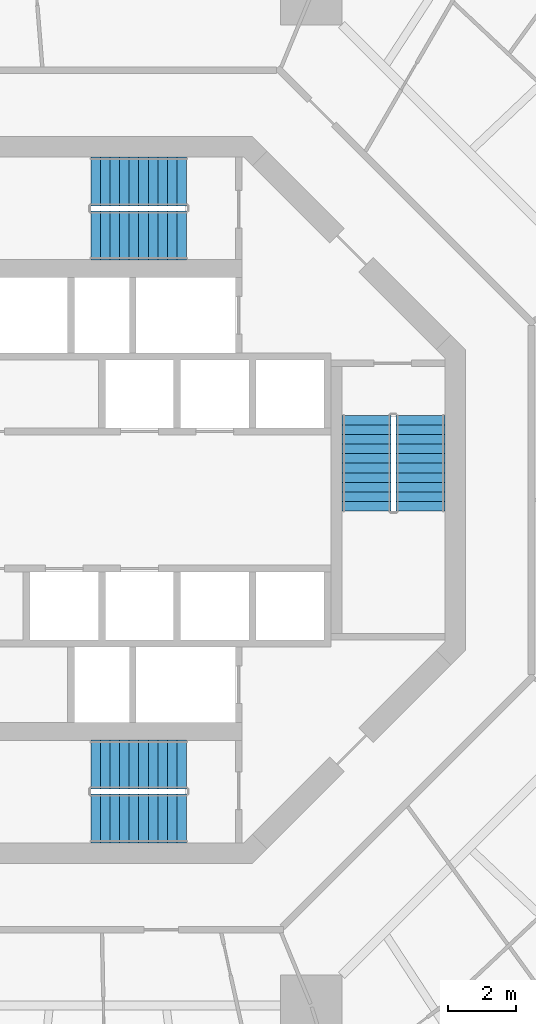
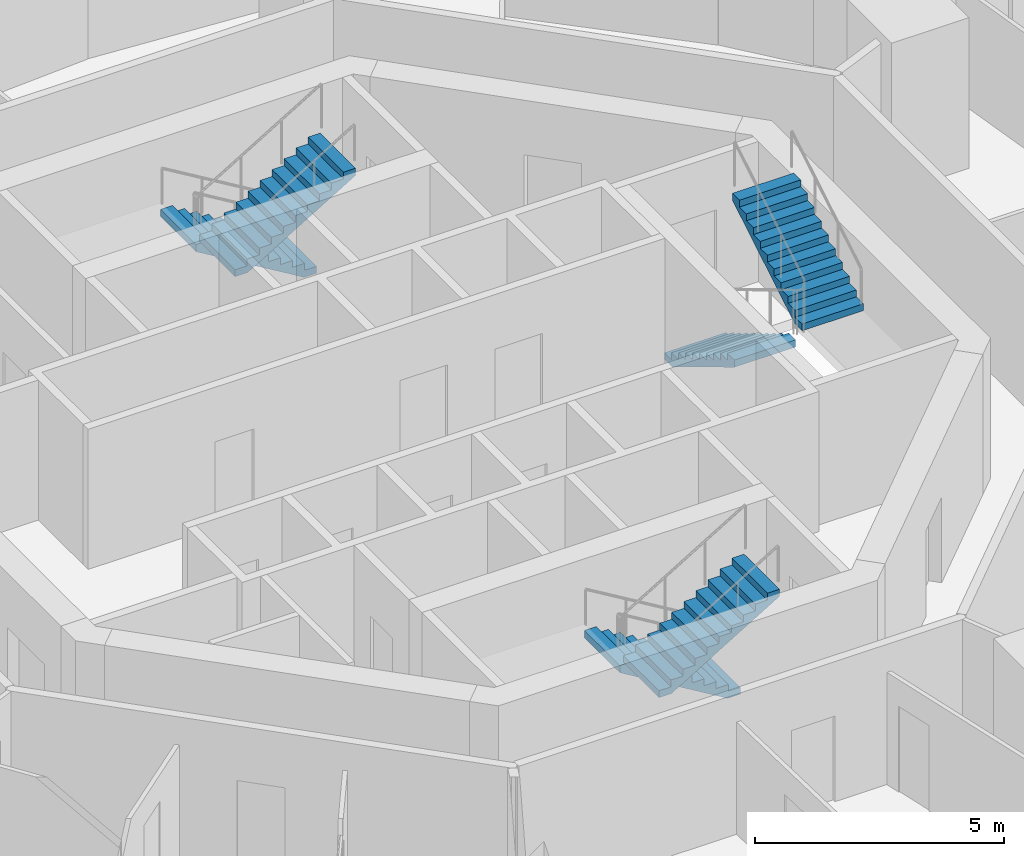
# One storey, part 16 of 19: 6 stair flights, 3 elements without a shape of their own.
"""IFC4 building model written with IfcOpenShell, lengths in metres."""

import ifcopenshell
import ifcopenshell.guid

model = None  # the IFC model being written
_history = None  # IfcOwnerHistory: only IFC2X3 demands one
_inside = {}  # id of a spatial element -> (the spatial element, [elements in it])
_under = {}  # id of a project, library or spatial element -> (it, [spatial elements below it])
_declared = {}  # id of a project -> (the project, [libraries it declares])
_typed = {}  # id of a type object -> (the type object, [elements of that type])
_made_of = {}  # id of a material, layer set ... -> (it, [elements and type objects made of it])


def new_model(schema):
    """Start an empty IFC model of exactly this schema.

    Asked for "IFC4X3", IfcOpenShell would pick the latest addendum, in which some entities
    have other attributes; the version numbers below select the first issue.
    IFC2X3 requires an IfcOwnerHistory on every rooted entity: one is made here for all.
    """
    global model, _history
    if schema == "IFC4X3":
        model = ifcopenshell.file(schema_version=(4, 3, 0, 0))
    else:
        model = ifcopenshell.file(schema=schema)
    _inside.clear()
    _under.clear()
    _declared.clear()
    _typed.clear()
    _made_of.clear()
    _history = None
    if model.schema == "IFC2X3":
        org = make("IfcOrganization", Name="unknown")
        user = make(
            "IfcPersonAndOrganization",
            ThePerson=make("IfcPerson", FamilyName="unknown"),
            TheOrganization=org,
        )
        app = make(
            "IfcApplication",
            ApplicationDeveloper=org,
            Version="unknown",
            ApplicationFullName="unknown",
            ApplicationIdentifier="unknown",
        )
        _history = make(
            "IfcOwnerHistory",
            OwningUser=user,
            OwningApplication=app,
            ChangeAction="ADDED",
            CreationDate=0,
        )
    return model


def make(cls, **values):
    """One entity of the class cls with the attributes given. An attribute that is None is left unset."""
    return model.create_entity(
        cls, **{name: value for name, value in values.items() if value is not None}
    )


def rooted(cls, **values):
    """An entity with a GlobalId (a new one), such as an element, a storey or a relation."""
    return make(cls, GlobalId=ifcopenshell.guid.new(), OwnerHistory=_history, **values)


def si_unit(unit_type, name, prefix=None):
    """IfcSIUnit, for example si_unit("LENGTHUNIT", "METRE", prefix="MILLI")."""
    return make("IfcSIUnit", UnitType=unit_type, Prefix=prefix, Name=name)


def assignment(units):
    """IfcUnitAssignment: the units of a project."""
    return None if units is None else make("IfcUnitAssignment", Units=units)


def point(xyz):
    """IfcCartesianPoint."""
    return None if xyz is None else make("IfcCartesianPoint", Coordinates=xyz)


def direction(xyz):
    """IfcDirection."""
    return None if xyz is None else make("IfcDirection", DirectionRatios=xyz)


def frame(location, z_axis=None, x_axis=None):
    """IfcAxis2Placement3D, a coordinate frame: its origin and axes. An axis left out is left unset."""
    return make(
        "IfcAxis2Placement3D",
        Location=point(location),
        Axis=direction(z_axis),
        RefDirection=direction(x_axis),
    )


def origin():
    """The frame at (0, 0, 0) with its axes left unset."""
    return frame((0.0, 0.0, 0.0))


def place(relative_to, where):
    """IfcLocalPlacement: puts the frame where relative to a parent placement (None: the world)."""
    return make(
        "IfcLocalPlacement", PlacementRelTo=relative_to, RelativePlacement=where
    )


def context(
    kind, dimensions, precision=None, world=None, true_north=None, identifier=None
):
    """IfcGeometricRepresentationContext, for example the 3D "Model" context."""
    return make(
        "IfcGeometricRepresentationContext",
        ContextIdentifier=identifier,
        ContextType=kind,
        CoordinateSpaceDimension=dimensions,
        Precision=precision,
        WorldCoordinateSystem=world,
        TrueNorth=true_north,
    )


def subcontext(parent, identifier, kind, view, scale=None):
    """IfcGeometricRepresentationSubContext, for example "Body" below "Model"."""
    return make(
        "IfcGeometricRepresentationSubContext",
        ContextIdentifier=identifier,
        ContextType=kind,
        ParentContext=parent,
        TargetScale=scale,
        TargetView=view,
    )


def project(units=None, contexts=None):
    """IfcProject with its units and contexts."""
    return rooted(
        "IfcProject",
        Name="project",
        RepresentationContexts=contexts,
        UnitsInContext=assignment(units),
    )


def spatial(cls, under=None, at=None, **own):
    """A site, building, storey or space (cls), placed at a placement, below another one or the project."""
    s = rooted(cls, ObjectPlacement=at, **own)
    if under is not None:
        _under.setdefault(under.id(), (under, []))[1].append(s)
    return s


def polyline(points):
    """IfcPolyline through the points."""
    return make("IfcPolyline", Points=[point(p) for p in points])


def outline(outer, holes=None, kind="AREA"):
    """IfcArbitraryClosedProfileDef: a profile drawn as a closed curve; with holes, ...WithVoids."""
    if holes is None:
        return make("IfcArbitraryClosedProfileDef", ProfileType=kind, OuterCurve=outer)
    return make(
        "IfcArbitraryProfileDefWithVoids",
        ProfileType=kind,
        OuterCurve=outer,
        InnerCurves=holes,
    )


def extrude(swept, where, along, depth):
    """IfcExtrudedAreaSolid: the profile swept, set in the frame where, extruded along a direction by depth."""
    return make(
        "IfcExtrudedAreaSolid",
        SweptArea=swept,
        Position=where,
        ExtrudedDirection=direction(along),
        Depth=depth,
    )


def shape(context_of_items, identifier, shape_type, items):
    """IfcShapeRepresentation: the items that make up one representation, for example the "Body"."""
    return make(
        "IfcShapeRepresentation",
        ContextOfItems=context_of_items,
        RepresentationIdentifier=identifier,
        RepresentationType=shape_type,
        Items=items,
    )


def material(Name=None, Category=None):
    """IfcMaterial."""
    return make("IfcMaterial", Name=Name, Category=Category)


def made_of(thing, what):
    """Note that an element or type object is made of a material, layer set ...; save() writes the relation."""
    if what is not None:
        _made_of.setdefault(what.id(), (what, []))[1].append(thing)
    return thing


def type_object(cls, material=None, **own):
    """A type object (cls), such as IfcWallType, which elements share."""
    return made_of(rooted(cls, **own), material)


def element(
    cls,
    number,
    at=None,
    inside=None,
    cuts=None,
    type_object=None,
    material=None,
    context=None,
    identifier="Body",
    shape_type=None,
    held_by="IfcProductDefinitionShape",
    body=None,
    shapes=None,
    **own,
):
    """One element of the class cls, such as IfcWall. Its Tag is "e" and its number.

    at: its placement. inside: the storey or other place that contains it. cuts: it is an
    opening in that element (IfcRelVoidsElement). A single representation is given by context,
    identifier, shape_type and body (its items); several are given by shapes. held_by: the class
    of the entity that holds the representations. save() writes the other relations.
    """
    e = rooted(cls, Tag="e%d" % number, ObjectPlacement=at, **own)
    if body is not None:
        shapes = [shape(context, identifier, shape_type, body)]
    if shapes is not None:
        e.Representation = make(held_by, Representations=shapes)
    if inside is not None:
        _inside.setdefault(inside.id(), (inside, []))[1].append(e)
    if cuts is not None:
        rooted(
            "IfcRelVoidsElement", RelatingBuildingElement=cuts, RelatedOpeningElement=e
        )
    if type_object is not None:
        _typed.setdefault(type_object.id(), (type_object, []))[1].append(e)
    return made_of(e, material)


def aggregate(whole, parts):
    """IfcRelAggregates: a whole, such as a stair, and the parts it consists of."""
    return rooted("IfcRelAggregates", RelatingObject=whole, RelatedObjects=parts)


def save(model, path):
    """Write the relations noted so far, then the file.

    IfcRelAggregates (storeys below a building ...), IfcRelContainedInSpatialStructure (elements
    in a storey), IfcRelDefinesByType, IfcRelAssociatesMaterial and IfcRelDeclares: one each for
    every whole, place, type object, material and project.
    """
    for whole, parts in _under.values():
        aggregate(whole, parts)
    for where, things in _inside.values():
        rooted(
            "IfcRelContainedInSpatialStructure",
            RelatedElements=things,
            RelatingStructure=where,
        )
    for kind, things in _typed.values():
        rooted("IfcRelDefinesByType", RelatedObjects=things, RelatingType=kind)
    for what, things in _made_of.values():
        rooted("IfcRelAssociatesMaterial", RelatedObjects=things, RelatingMaterial=what)
    for by, libraries in _declared.values():
        rooted("IfcRelDeclares", RelatingContext=by, RelatedDefinitions=libraries)
    model.write(path)


model = new_model("IFC4")

# Units and contexts
model_context = context("Model", 3, precision=1e-05, world=origin(), true_north=direction((0.0, 1.0)))
body_context = subcontext(model_context, "Body", "Model", "MODEL_VIEW")
ifc_project = project(units=[si_unit("LENGTHUNIT", "METRE"), si_unit("AREAUNIT", "SQUARE_METRE"), si_unit("VOLUMEUNIT", "CUBIC_METRE"), si_unit("PLANEANGLEUNIT", "RADIAN"), si_unit("MASSUNIT", "GRAM", prefix="KILO")], contexts=[model_context])

# Site, building, storey
site_placement = place(None, origin())
site = spatial("IfcSite", under=ifc_project, at=site_placement, CompositionType="ELEMENT")
building_placement = place(site_placement, origin())
building = spatial("IfcBuilding", under=site, at=building_placement, Name="Nagisa Residences", CompositionType="ELEMENT")
storey_placement = place(building_placement, frame((0.0, 0.0, 199.199951171875)))
storey = spatial("IfcBuildingStorey", under=building, at=storey_placement, Name="L50", CompositionType="ELEMENT", Elevation=199.199951171875)

# Stair, stair flights
ifc_material_1 = material(Name="Concrete C60", Category="concrete")
stair_type = type_object("IfcStairType", Name="Exit stair", PredefinedType="HALF_TURN_STAIR", material=ifc_material_1)
stair_1_placement = place(storey_placement, origin())
stair_1 = element("IfcStair", 1, at=stair_1_placement, inside=storey, type_object=stair_type, Name="L50 Exit stair E", PredefinedType="HALF_TURN_STAIR")
ifc_material_2 = material(Name="Concrete C60", Category="concrete")
stair_flight_type = type_object("IfcStairFlightType", Name="Exit stair flight", PredefinedType="STRAIGHT", material=ifc_material_2)
stair_flight_1_placement = place(storey_placement, frame((7.737060546875, 2.47509765625, 0.0), z_axis=(0.0, 0.0, 1.0), x_axis=(0.0, -1.0, 0.0)))
stair_flight_1 = element("IfcStairFlight", 2, at=stair_flight_1_placement, type_object=stair_flight_type, Name="ST-E flight 1", NumberOfRisers=11, NumberOfTreads=10, PredefinedType="STRAIGHT", RiserHeight=0.168181818, TreadLength=0.28, context=body_context, shape_type="SweptSolid", body=[
    extrude(outline(polyline([(0.0, 0.0), (0.0, 0.168212890625), (0.280029296875, 0.168212890625), (0.280029296875, 0.33642578125), (0.56005859375, 0.33642578125), (0.56005859375, 0.504638671875), (0.840087890625, 0.504638671875), (0.840087890625, 0.672607421875), (1.1201171875, 0.672607421875), (1.1201171875, 0.8408203125), (1.39990234375, 0.8408203125), (1.39990234375, 1.009033203125), (1.679931640625, 1.009033203125), (1.679931640625, 1.17724609375), (1.9599609375, 1.17724609375), (1.9599609375, 1.345458984375), (2.239990234375, 1.345458984375), (2.239990234375, 1.513671875), (2.52001953125, 1.513671875), (2.52001953125, 1.681884765625), (2.800048828125, 1.681884765625), (2.800048828125, 1.85009765625), (2.800048828125, 1.5068359375), (0.291015625, 0.0), (0.0, 0.0)])), frame((0.0, 0.71240234375, 0.0), z_axis=(0.0, -1.0, 0.0), x_axis=(1.0, 0.0, 0.0)), (0.0, 0.0, 1.0), 1.425048828125),
])
stair_flight_2_placement = place(storey_placement, frame((9.31201171875, -0.324951171875, 1.85009765625), z_axis=(0.0, 0.0, 1.0), x_axis=(0.0, 1.0, 0.0)))
stair_flight_2 = element("IfcStairFlight", 3, at=stair_flight_2_placement, type_object=stair_flight_type, Name="ST-E flight 2", NumberOfRisers=11, NumberOfTreads=10, PredefinedType="STRAIGHT", RiserHeight=0.168181818, TreadLength=0.28, context=body_context, shape_type="SweptSolid", body=[
    extrude(outline(polyline([(0.0, 0.0), (0.0, 0.168212890625), (0.280029296875, 0.168212890625), (0.280029296875, 0.33642578125), (0.56005859375, 0.33642578125), (0.56005859375, 0.504638671875), (0.840087890625, 0.504638671875), (0.840087890625, 0.672607421875), (1.1201171875, 0.672607421875), (1.1201171875, 0.8408203125), (1.39990234375, 0.8408203125), (1.39990234375, 1.009033203125), (1.679931640625, 1.009033203125), (1.679931640625, 1.17724609375), (1.9599609375, 1.17724609375), (1.9599609375, 1.345458984375), (2.239990234375, 1.345458984375), (2.239990234375, 1.513671875), (2.52001953125, 1.513671875), (2.52001953125, 1.681884765625), (2.800048828125, 1.681884765625), (2.800048828125, 1.85009765625), (2.800048828125, 1.5068359375), (0.291015625, 0.0), (0.0, 0.0)])), frame((0.0, 0.71240234375, 0.0), z_axis=(0.0, -1.0, 0.0), x_axis=(1.0, 0.0, 0.0)), (0.0, 0.0, 1.0), 1.425048828125),
])
aggregate(stair_1, [stair_flight_1, stair_flight_2])

stair_2_placement = place(storey_placement, origin())
stair_2 = element("IfcStair", 4, at=stair_2_placement, inside=storey, type_object=stair_type, Name="L50 Exit stair N", PredefinedType="HALF_TURN_STAIR")
stair_flight_3_placement = place(storey_placement, frame((2.47509765625, 9.31201171875, 0.0), z_axis=(0.0, 0.0, 1.0), x_axis=(-1.0, 0.0, 0.0)))
stair_flight_3 = element("IfcStairFlight", 5, at=stair_flight_3_placement, type_object=stair_flight_type, Name="ST-N flight 1", NumberOfRisers=11, NumberOfTreads=10, PredefinedType="STRAIGHT", RiserHeight=0.168181818, TreadLength=0.28, context=body_context, shape_type="SweptSolid", body=[
    extrude(outline(polyline([(0.0, 0.0), (0.0, 0.168212890625), (0.280029296875, 0.168212890625), (0.280029296875, 0.33642578125), (0.56005859375, 0.33642578125), (0.56005859375, 0.504638671875), (0.840087890625, 0.504638671875), (0.840087890625, 0.672607421875), (1.1201171875, 0.672607421875), (1.1201171875, 0.8408203125), (1.39990234375, 0.8408203125), (1.39990234375, 1.009033203125), (1.679931640625, 1.009033203125), (1.679931640625, 1.17724609375), (1.9599609375, 1.17724609375), (1.9599609375, 1.345458984375), (2.239990234375, 1.345458984375), (2.239990234375, 1.513671875), (2.52001953125, 1.513671875), (2.52001953125, 1.681884765625), (2.800048828125, 1.681884765625), (2.800048828125, 1.85009765625), (2.800048828125, 1.5068359375), (0.291015625, 0.0), (0.0, 0.0)])), frame((0.0, 0.71240234375, 0.0), z_axis=(0.0, -1.0, 0.0), x_axis=(1.0, 0.0, 0.0)), (0.0, 0.0, 1.0), 1.425048828125),
])
stair_flight_4_placement = place(storey_placement, frame((-0.324951171875, 7.737060546875, 1.85009765625), z_axis=(0.0, 0.0, 1.0), x_axis=(1.0, 0.0, 0.0)))
stair_flight_4 = element("IfcStairFlight", 6, at=stair_flight_4_placement, type_object=stair_flight_type, Name="ST-N flight 2", NumberOfRisers=11, NumberOfTreads=10, PredefinedType="STRAIGHT", RiserHeight=0.168181818, TreadLength=0.28, context=body_context, shape_type="SweptSolid", body=[
    extrude(outline(polyline([(0.0, 0.0), (0.0, 0.168212890625), (0.280029296875, 0.168212890625), (0.280029296875, 0.33642578125), (0.56005859375, 0.33642578125), (0.56005859375, 0.504638671875), (0.840087890625, 0.504638671875), (0.840087890625, 0.672607421875), (1.1201171875, 0.672607421875), (1.1201171875, 0.8408203125), (1.39990234375, 0.8408203125), (1.39990234375, 1.009033203125), (1.679931640625, 1.009033203125), (1.679931640625, 1.17724609375), (1.9599609375, 1.17724609375), (1.9599609375, 1.345458984375), (2.239990234375, 1.345458984375), (2.239990234375, 1.513671875), (2.52001953125, 1.513671875), (2.52001953125, 1.681884765625), (2.800048828125, 1.681884765625), (2.800048828125, 1.85009765625), (2.800048828125, 1.5068359375), (0.291015625, 0.0), (0.0, 0.0)])), frame((0.0, 0.71240234375, 0.0), z_axis=(0.0, -1.0, 0.0), x_axis=(1.0, 0.0, 0.0)), (0.0, 0.0, 1.0), 1.425048828125),
])
aggregate(stair_2, [stair_flight_3, stair_flight_4])

stair_3_placement = place(storey_placement, origin())
stair_3 = element("IfcStair", 7, at=stair_3_placement, inside=storey, type_object=stair_type, Name="L50 Exit stair S", PredefinedType="HALF_TURN_STAIR")
stair_flight_5_placement = place(storey_placement, frame((2.47509765625, -7.737060546875, 0.0), z_axis=(0.0, 0.0, 1.0), x_axis=(-1.0, 0.0, 0.0)))
stair_flight_5 = element("IfcStairFlight", 8, at=stair_flight_5_placement, type_object=stair_flight_type, Name="ST-S flight 1", NumberOfRisers=11, NumberOfTreads=10, PredefinedType="STRAIGHT", RiserHeight=0.168181818, TreadLength=0.28, context=body_context, shape_type="SweptSolid", body=[
    extrude(outline(polyline([(0.0, 0.0), (0.0, 0.168212890625), (0.280029296875, 0.168212890625), (0.280029296875, 0.33642578125), (0.56005859375, 0.33642578125), (0.56005859375, 0.504638671875), (0.840087890625, 0.504638671875), (0.840087890625, 0.672607421875), (1.1201171875, 0.672607421875), (1.1201171875, 0.8408203125), (1.39990234375, 0.8408203125), (1.39990234375, 1.009033203125), (1.679931640625, 1.009033203125), (1.679931640625, 1.17724609375), (1.9599609375, 1.17724609375), (1.9599609375, 1.345458984375), (2.239990234375, 1.345458984375), (2.239990234375, 1.513671875), (2.52001953125, 1.513671875), (2.52001953125, 1.681884765625), (2.800048828125, 1.681884765625), (2.800048828125, 1.85009765625), (2.800048828125, 1.5068359375), (0.291015625, 0.0), (0.0, 0.0)])), frame((0.0, 0.71240234375, 0.0), z_axis=(0.0, -1.0, 0.0), x_axis=(1.0, 0.0, 0.0)), (0.0, 0.0, 1.0), 1.425048828125),
])
stair_flight_6_placement = place(storey_placement, frame((-0.324951171875, -9.31201171875, 1.85009765625), z_axis=(0.0, 0.0, 1.0), x_axis=(1.0, 0.0, 0.0)))
stair_flight_6 = element("IfcStairFlight", 9, at=stair_flight_6_placement, type_object=stair_flight_type, Name="ST-S flight 2", NumberOfRisers=11, NumberOfTreads=10, PredefinedType="STRAIGHT", RiserHeight=0.168181818, TreadLength=0.28, context=body_context, shape_type="SweptSolid", body=[
    extrude(outline(polyline([(0.0, 0.0), (0.0, 0.168212890625), (0.280029296875, 0.168212890625), (0.280029296875, 0.33642578125), (0.56005859375, 0.33642578125), (0.56005859375, 0.504638671875), (0.840087890625, 0.504638671875), (0.840087890625, 0.672607421875), (1.1201171875, 0.672607421875), (1.1201171875, 0.8408203125), (1.39990234375, 0.8408203125), (1.39990234375, 1.009033203125), (1.679931640625, 1.009033203125), (1.679931640625, 1.17724609375), (1.9599609375, 1.17724609375), (1.9599609375, 1.345458984375), (2.239990234375, 1.345458984375), (2.239990234375, 1.513671875), (2.52001953125, 1.513671875), (2.52001953125, 1.681884765625), (2.800048828125, 1.681884765625), (2.800048828125, 1.85009765625), (2.800048828125, 1.5068359375), (0.291015625, 0.0), (0.0, 0.0)])), frame((0.0, 0.71240234375, 0.0), z_axis=(0.0, -1.0, 0.0), x_axis=(1.0, 0.0, 0.0)), (0.0, 0.0, 1.0), 1.425048828125),
])
aggregate(stair_3, [stair_flight_5, stair_flight_6])

save(model, "model.ifc")
